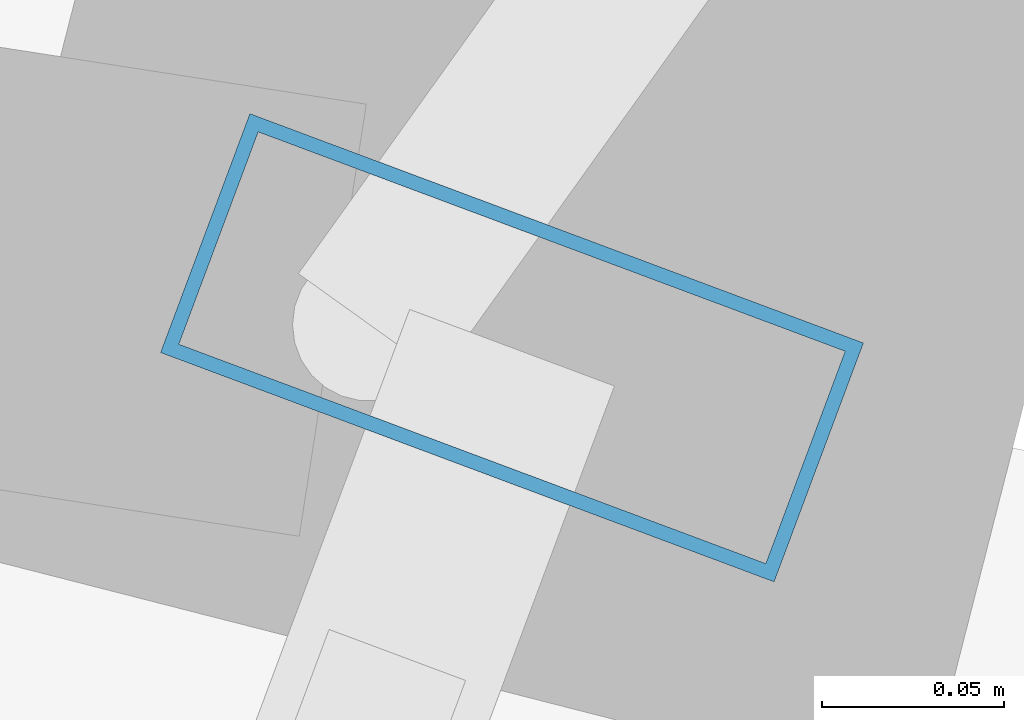
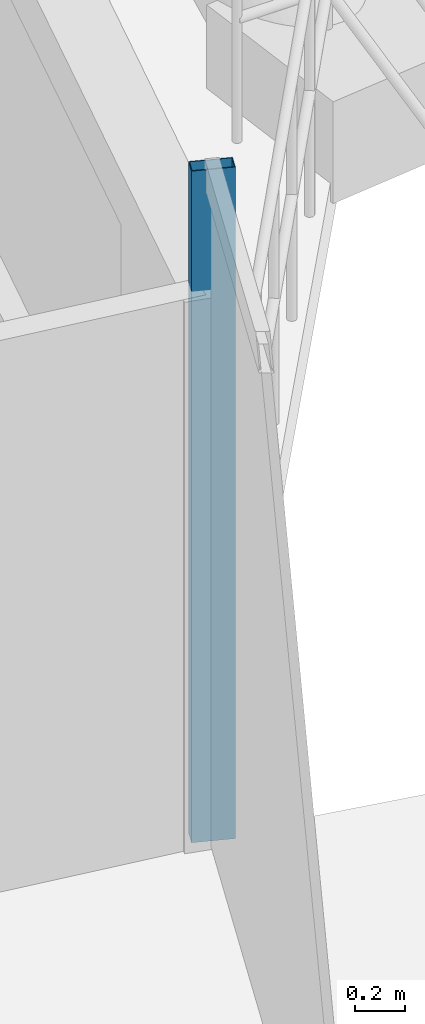
# One storey, part 12 of 23: 1 member, 1 element without a shape of its own.
"""IFC4 building model written with IfcOpenShell, lengths in metres."""

from ifc_helpers import new_model, si_unit, direction, frame, origin, origin_2d, place, context, subcontext, project, spatial, hollow_rectangle, extrude, material, layer, layer_set, material_profile, profile_set, type_object, element, aggregate, save


model = new_model("IFC4")

# Units and contexts
model_context = context("Model", 3, precision=1e-05, world=origin(), true_north=direction((0.0, 1.0)))
body_context = subcontext(model_context, "Body", "Model", "MODEL_VIEW")
ifc_project = project(units=[si_unit("LENGTHUNIT", "METRE"), si_unit("AREAUNIT", "SQUARE_METRE"), si_unit("VOLUMEUNIT", "CUBIC_METRE"), si_unit("PLANEANGLEUNIT", "RADIAN"), si_unit("MASSUNIT", "GRAM", prefix="KILO")], contexts=[model_context])

# Site, building, storey
site_placement = place(None, origin())
site = spatial("IfcSite", under=ifc_project, at=site_placement, CompositionType="ELEMENT")
building_placement = place(site_placement, origin())
building = spatial("IfcBuilding", under=site, at=building_placement, Name="Veldorina Hangang Commons", CompositionType="ELEMENT")
storey_placement = place(building_placement, frame((0.0, 0.0, 95.199951171875)))
storey = spatial("IfcBuildingStorey", under=building, at=storey_placement, Name="L24", CompositionType="ELEMENT", Elevation=95.199951171875)

# Curtain wall, member
ifc_material_1 = material(Name="Glass Low-E Triple IGU", Category="glass")
ifc_layer = layer(ifc_material_1, 0.179931640625)
ifc_layer_set = layer_set([ifc_layer], Name="Glass Low-E Triple IGU")
curtain_wall_type = type_object("IfcCurtainWallType", Name="CW-SYS-Z1", PredefinedType="NOTDEFINED", material=ifc_layer_set)
curtain_wall_placement = place(storey_placement, origin())
curtain_wall = element("IfcCurtainWall", 1, at=curtain_wall_placement, inside=storey, type_object=curtain_wall_type, Name="L24 unitised curtain wall CW-L24-R2", PredefinedType="NOTDEFINED")
ifc_material_2 = material(Name="Aluminium Anodized AA6063-T6", Category="aluminium")
ifc_material_profile = material_profile(ifc_material_2, hollow_rectangle(XDim=0.070068359375, YDim=0.179931640625, WallThickness=0.00390625, at=origin_2d()), Name="ALU-RHS-180x70x4")
ifc_profile_set = profile_set([ifc_material_profile], Name="Aluminium Anodized AA6063-T6")
member_type = type_object("IfcMemberType", Name="CW-MUL-180", PredefinedType="MULLION", material=ifc_profile_set)
member_placement = place(storey_placement, frame((57.8623046875, 19.82470703125, 0.0), z_axis=(0.0, 0.0, 1.0), x_axis=(-0.350076593736, -0.936721078293, 0.0)))
member = element("IfcMember", 2, at=member_placement, type_object=member_type, Name="CW-L24-R2 vertical mullion 5", PredefinedType="MULLION", context=body_context, shape_type="SweptSolid", body=[
    extrude(hollow_rectangle(XDim=0.070068359375, YDim=0.179931640625, WallThickness=0.00390625, at=origin_2d()), origin(), (0.0, 0.0, 1.0), 3.300048828125),
])
aggregate(curtain_wall, [member])

save(model, "model.ifc")
